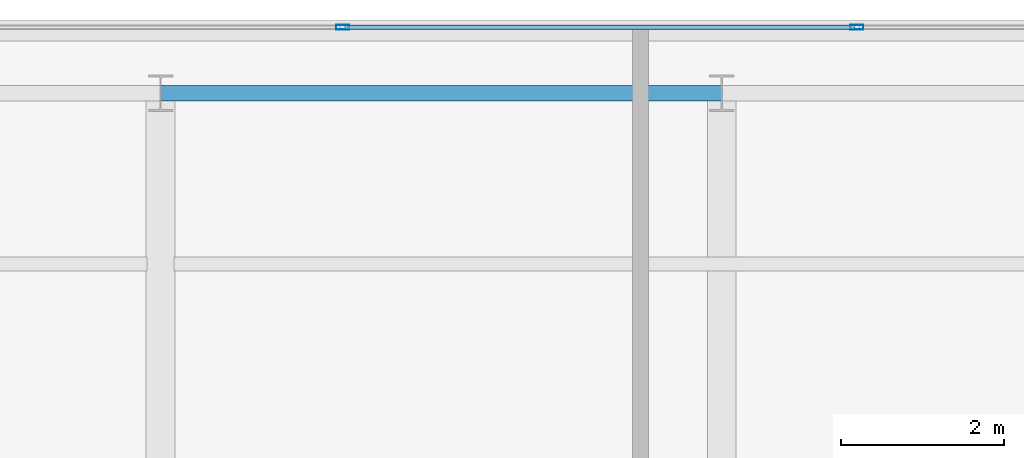
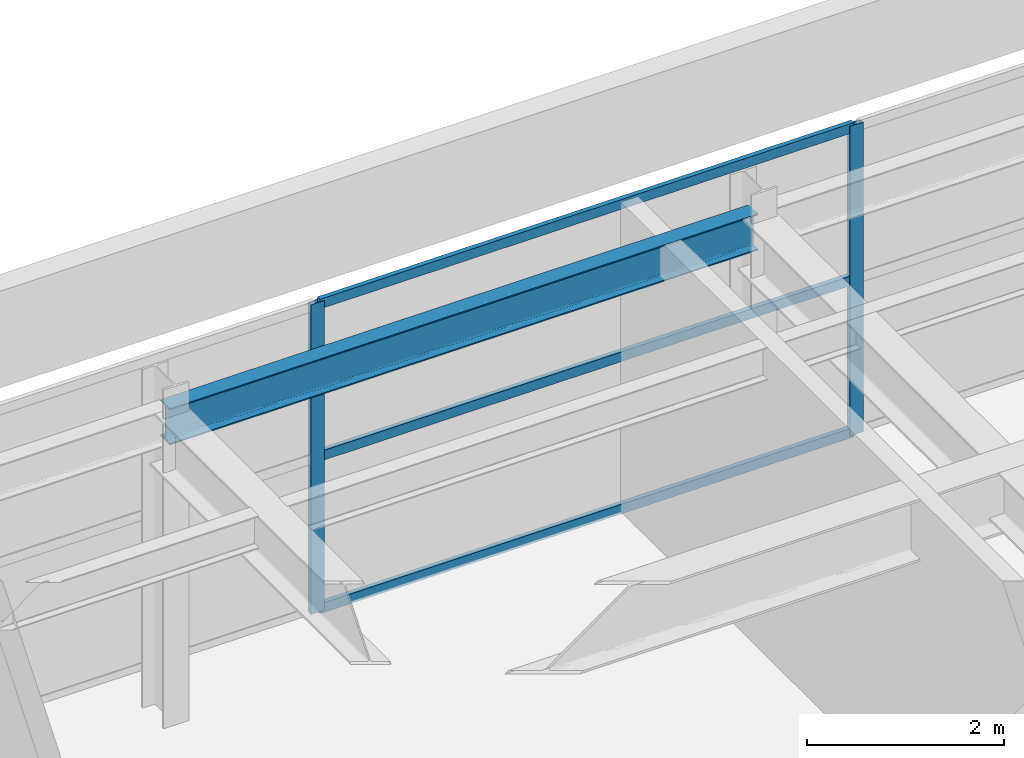
# One storey, part 25 of 33: 5 members, 1 beam, 1 element without a shape of its own.
"""IFC4 building model written with IfcOpenShell, lengths in metres."""

from ifc_helpers import new_model, si_unit, direction, frame, origin, origin_2d, place, context, subcontext, project, spatial, hollow_rectangle, i_section, extrude, source, transform, mapped, material, layer, layer_set, material_profile, profile_set, type_object, element, aggregate, save


model = new_model("IFC4")

# Units and contexts
model_context = context("Model", 3, precision=1e-05, world=origin(), true_north=direction((0.0, 1.0)))
body_context = subcontext(model_context, "Body", "Model", "MODEL_VIEW")
ifc_project = project(units=[si_unit("LENGTHUNIT", "METRE"), si_unit("AREAUNIT", "SQUARE_METRE"), si_unit("VOLUMEUNIT", "CUBIC_METRE"), si_unit("PLANEANGLEUNIT", "RADIAN"), si_unit("MASSUNIT", "GRAM", prefix="KILO")], contexts=[model_context])

# Site, building, storey
site_placement = place(None, origin())
site = spatial("IfcSite", under=ifc_project, at=site_placement, CompositionType="ELEMENT")
building_placement = place(site_placement, origin())
building = spatial("IfcBuilding", under=site, at=building_placement, Name="Khoralis Quay Care Tower", CompositionType="ELEMENT")
storey_placement = place(building_placement, frame((0.0, 0.0, 314.699951171875)))
storey = spatial("IfcBuildingStorey", under=building, at=storey_placement, Name="L82", CompositionType="ELEMENT", Elevation=314.699951171875)

# Beam
ifc_material_1 = material(Name="Steel S355", Category="steel")
ifc_material_profile_1 = material_profile(ifc_material_1, i_section(OverallWidth=0.18994140625, OverallDepth=0.449951171875, WebThickness=0.009521484375, FlangeThickness=0.0146484375, FilletRadius=0.02099609375, at=origin_2d()), Name="Steel S355")
ifc_profile_set_1 = profile_set([ifc_material_profile_1], Name="Steel S355")
beam_type = type_object("IfcBeamType", Name="BM-IPE450", PredefinedType="SPANDREL", material=ifc_profile_set_1)
shared_shape_1 = source(origin(), body_context, "Body", "SweptSolid", [
    extrude(i_section(OverallWidth=0.18994140625, OverallDepth=0.449951171875, WebThickness=0.009521484375, FlangeThickness=0.0146484375, FilletRadius=0.02099609375, at=origin_2d()), origin(), (0.0, 0.0, 1.0), 6.89990234375),
])
beam_placement = place(storey_placement, frame((17.10009765625, 41.10009765625, 3.614990234375), z_axis=(1.0, 0.0, 0.0), x_axis=(0.0, 1.0, 0.0)))
element("IfcBeam", 1, at=beam_placement, inside=storey, type_object=beam_type, Name="BM-TSP-L82-06", PredefinedType="SPANDREL", context=body_context, shape_type="MappedRepresentation", body=[
    mapped(shared_shape_1, transform((0.0, 0.0, 0.0), scale=1.0)),
])

# Curtain wall, members
ifc_material_2 = material(Name="Pale anodised aluminium", Category="aluminium")
ifc_layer = layer(ifc_material_2, 0.199951171875)
ifc_layer_set = layer_set([ifc_layer], Name="Pale anodised aluminium")
curtain_wall_type = type_object("IfcCurtainWallType", Name="CW-SYS-LANTERN", PredefinedType="NOTDEFINED", material=ifc_layer_set)
curtain_wall_placement = place(storey_placement, origin())
curtain_wall = element("IfcCurtainWall", 2, at=curtain_wall_placement, inside=storey, type_object=curtain_wall_type, Name="L82 Unitised Curtain Wall CW-LN-L82-11", PredefinedType="NOTDEFINED")
ifc_material_profile_2 = material_profile(ifc_material_2, hollow_rectangle(XDim=0.054931640625, YDim=0.1201171875, WallThickness=0.00390625, at=origin_2d()), Name="Pale anodised aluminium")
ifc_profile_set_2 = profile_set([ifc_material_profile_2], Name="Pale anodised aluminium")
member_type_1 = type_object("IfcMemberType", Name="CW-TRN-120", PredefinedType="USERDEFINED", material=ifc_profile_set_2)
shared_shape_2 = source(origin(), body_context, "Body", "SweptSolid", [
    extrude(hollow_rectangle(XDim=0.054931640625, YDim=0.1201171875, WallThickness=0.00390625, at=origin_2d()), origin(), (0.0, 0.0, 1.0), 6.26416015625),
])
member_1_placement = place(storey_placement, frame((25.632080078125, 41.909912109375, 0.030029296875), z_axis=(-1.0, 0.0, 0.0), x_axis=(0.0, -1.0, 0.0)))
member_1 = element("IfcMember", 3, at=member_1_placement, type_object=member_type_1, Name="CW5 transom 3.1", ObjectType="TRANSOM", PredefinedType="USERDEFINED", context=body_context, shape_type="MappedRepresentation", body=[
    mapped(shared_shape_2, transform((0.0, 0.0, 0.0), scale=1.0)),
])
member_2_placement = place(storey_placement, frame((25.632080078125, 41.909912109375, 1.920166015625), z_axis=(-1.0, 0.0, 0.0), x_axis=(0.0, -1.0, 0.0)))
member_2 = element("IfcMember", 4, at=member_2_placement, type_object=member_type_1, Name="CW5 transom 3.2", ObjectType="TRANSOM", PredefinedType="USERDEFINED", context=body_context, shape_type="MappedRepresentation", body=[
    mapped(shared_shape_2, transform((0.0, 0.0, 0.0), scale=1.0)),
])
member_3_placement = place(storey_placement, frame((25.632080078125, 41.909912109375, 3.81005859375), z_axis=(-1.0, 0.0, 0.0), x_axis=(0.0, -1.0, 0.0)))
member_3 = element("IfcMember", 5, at=member_3_placement, type_object=member_type_1, Name="CW5 transom 3.3", ObjectType="TRANSOM", PredefinedType="USERDEFINED", context=body_context, shape_type="MappedRepresentation", body=[
    mapped(shared_shape_2, transform((0.0, 0.0, 0.0), scale=1.0)),
])
ifc_material_profile_3 = material_profile(ifc_material_2, hollow_rectangle(XDim=0.06005859375, YDim=0.159912109375, WallThickness=0.00390625, at=origin_2d()), Name="Pale anodised aluminium")
ifc_profile_set_3 = profile_set([ifc_material_profile_3], Name="Pale anodised aluminium")
member_type_2 = type_object("IfcMemberType", Name="CW-MUL-160", PredefinedType="MULLION", material=ifc_profile_set_3)
shared_shape_3 = source(origin(), body_context, "Body", "SweptSolid", [
    extrude(hollow_rectangle(XDim=0.06005859375, YDim=0.159912109375, WallThickness=0.00390625, at=origin_2d()), origin(), (0.0, 0.0, 1.0), 3.840087890625),
])
member_4_placement = place(storey_placement, frame((25.662109375, 41.909912109375, 0.0), z_axis=(0.0, 0.0, 1.0), x_axis=(0.0, -1.0, 0.0)))
member_4 = element("IfcMember", 6, at=member_4_placement, type_object=member_type_2, Name="CW5 mullion 3", PredefinedType="MULLION", context=body_context, shape_type="MappedRepresentation", body=[
    mapped(shared_shape_3, transform((0.0, 0.0, 0.0), scale=1.0)),
])
member_5_placement = place(storey_placement, frame((19.337890625, 41.909912109375, 0.0), z_axis=(0.0, 0.0, 1.0), x_axis=(0.0, -1.0, 0.0)))
member_5 = element("IfcMember", 7, at=member_5_placement, type_object=member_type_2, Name="CW5 mullion 4", PredefinedType="MULLION", context=body_context, shape_type="MappedRepresentation", body=[
    mapped(shared_shape_3, transform((0.0, 0.0, 0.0), scale=1.0)),
])
aggregate(curtain_wall, [member_4, member_5, member_1, member_2, member_3])

save(model, "model.ifc")
